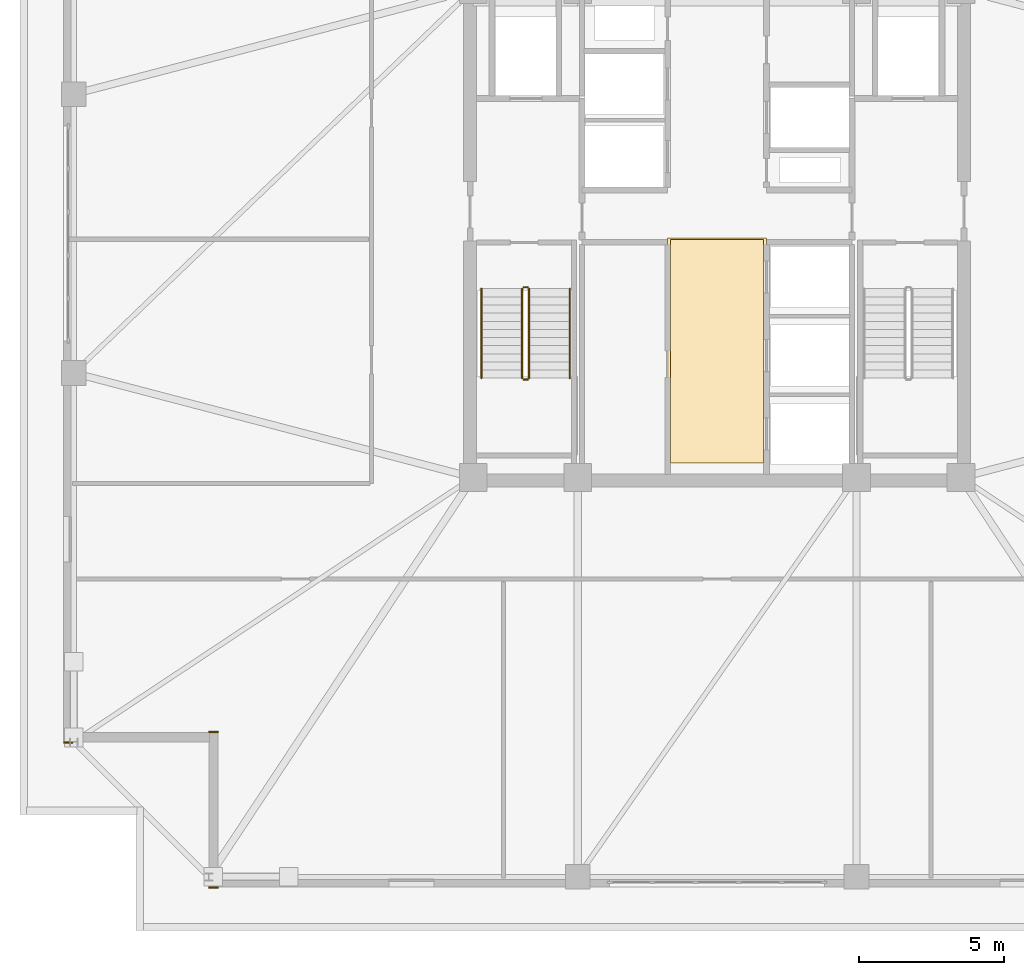
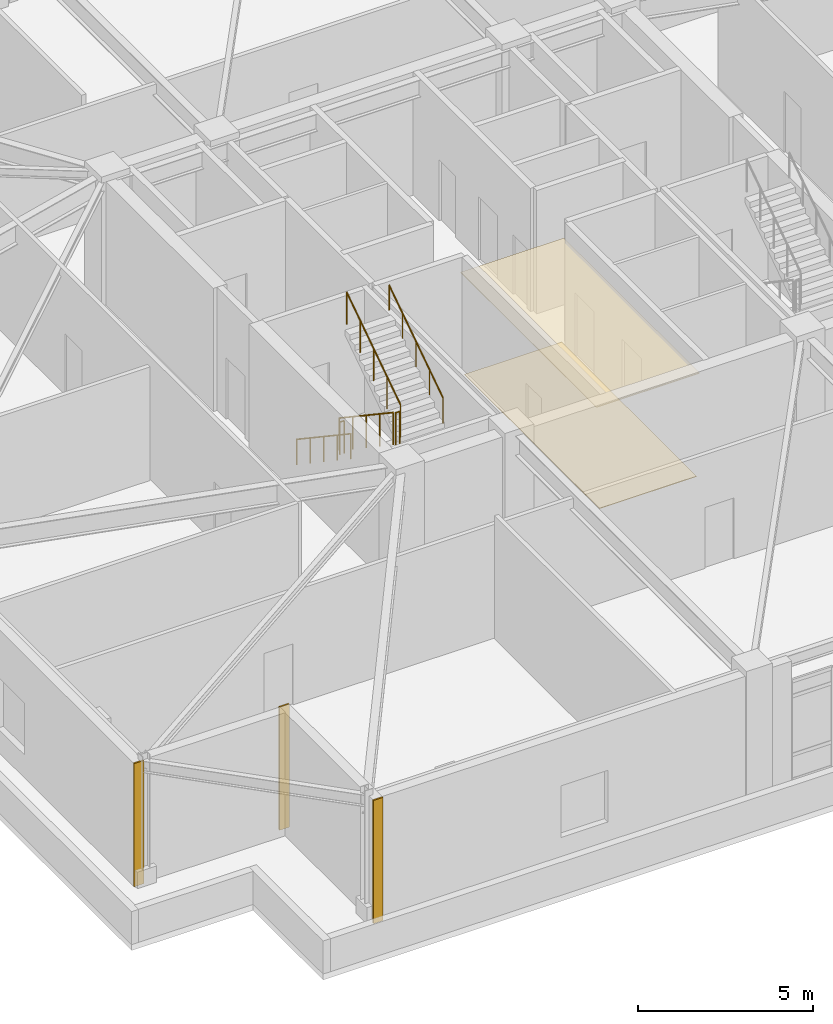
# One storey, part 14 of 18: 6 railings, 5 coverings.
"""IFC4 building model written with IfcOpenShell, lengths in metres."""

from ifc_helpers import new_model, si_unit, direction, frame, frame_2d, origin, origin_2d, place, context, subcontext, project, spatial, polyline, rectangle, circle, outline, extrude, material, layer, layer_set, type_object, element, save


model = new_model("IFC4")

# Units and contexts
model_context = context("Model", 3, precision=1e-05, world=origin(), true_north=direction((0.0, 1.0)))
body_context = subcontext(model_context, "Body", "Model", "MODEL_VIEW")
ifc_project = project(units=[si_unit("LENGTHUNIT", "METRE"), si_unit("AREAUNIT", "SQUARE_METRE"), si_unit("VOLUMEUNIT", "CUBIC_METRE"), si_unit("PLANEANGLEUNIT", "RADIAN"), si_unit("MASSUNIT", "GRAM", prefix="KILO")], contexts=[model_context])

# Site, building, storey
site_placement = place(None, origin())
site = spatial("IfcSite", under=ifc_project, at=site_placement, CompositionType="ELEMENT")
building_placement = place(site_placement, origin())
building = spatial("IfcBuilding", under=site, at=building_placement, Name="Cairnveth Concourse Tower", CompositionType="ELEMENT")
storey_placement = place(building_placement, frame((0.0, 0.0, 198.0)))
storey = spatial("IfcBuildingStorey", under=building, at=storey_placement, Name="L54", CompositionType="ELEMENT", Elevation=198.0)

# Coverings
ifc_material_1 = material(Name="Acoustic Mineral Fibre Ceiling", Category="gypsum")
ifc_layer_1 = layer(ifc_material_1, 0.02490234375)
ifc_layer_set_1 = layer_set([ifc_layer_1], Name="Acoustic Mineral Fibre Ceiling")
covering_type_1 = type_object("IfcCoveringType", Name="ACOUSTIC MINERAL FIBRE CEILING 25", PredefinedType="CEILING", material=ifc_layer_set_1)
covering_1_placement = place(storey_placement, frame((0.0, 0.0, 3.55810546875)))
element("IfcCovering", 1, at=covering_1_placement, inside=storey, type_object=covering_type_1, Name="Lift Lobby Acoustic Ceiling L54", PredefinedType="CEILING", context=body_context, shape_type="SweptSolid", body=[
    extrude(outline(polyline([(50.300048828125, 31.10009765625), (53.699951171875, 31.10009765625), (53.699951171875, 38.85009765625), (50.300048828125, 38.85009765625), (50.300048828125, 31.10009765625)])), origin(), (0.0, 0.0, 1.0), 0.02490234375),
])
ifc_material_2 = material(Name="Dressed Melbourne Bluestone Cladding", Category="masonry")
ifc_layer_2 = layer(ifc_material_2, 0.050048828125)
ifc_layer_set_2 = layer_set([ifc_layer_2], Name="Dressed Melbourne Bluestone Cladding")
covering_type_2 = type_object("IfcCoveringType", Name="DRESSED BLUESTONE PLINTH CLADDING 50", PredefinedType="CLADDING", material=ifc_layer_set_2)
for number, where, z_axis, x_axis, name in (
    (2, (34.820068359375, 16.47998046875, 0.0), (0.0, 0.0, 1.0), (-1.0, 0.0, 0.0), "Melbourne Bluestone Corner Quoin L54-803"),
    (3, (34.820068359375, 21.840087890625, 0.0), (0.0, 0.0, 1.0), (-1.0, 0.0, 0.0), "Melbourne Bluestone Corner Quoin L54-804"),
    (4, (29.820068359375, 21.47998046875, 0.0), (0.0, 0.0, 1.0), (-1.0, 0.0, 0.0), "Melbourne Bluestone Corner Quoin L54-805"),
):
    element("IfcCovering", number, at=place(storey_placement, frame(where, z_axis=z_axis, x_axis=x_axis)), inside=storey, type_object=covering_type_2, Name=name, PredefinedType="CLADDING", context=body_context, shape_type="SweptSolid", body=[
        extrude(rectangle(XDim=0.320068359375, YDim=0.050048828125, at=frame_2d((0.16015625, 0.0))), origin(), (0.0, 0.0, 1.0), 4.2900390625),
    ])

# Railings
ifc_material_3 = material(Name="Steel Grade 350", Category="steel")
railing_type_1 = type_object("IfcRailingType", Name="STAIR GUARDRAIL 1150", PredefinedType="GUARDRAIL", material=ifc_material_3)
railing_1_placement = place(storey_placement, frame((45.2900390625, 37.10009765625, 0.1875)))
element("IfcRailing", 5, at=railing_1_placement, inside=storey, type_object=railing_type_1, Name="L54 ST-1 stair guard 1", PredefinedType="GUARDRAIL", context=body_context, shape_type="SweptSolid", body=[
    extrude(circle(Radius=0.02392578125, at=origin_2d()), frame((0.0, 0.0, 1.1259765625), z_axis=(0.0, -0.830913701846, 0.55640131208), x_axis=(1.0, 0.0, 0.0)), (0.0, 0.0, 1.0), 3.706787109375),
    extrude(circle(Radius=0.02099609375, at=origin_2d()), origin(), (0.0, 0.0, 1.0), 1.101806640625),
    extrude(circle(Radius=0.02099609375, at=origin_2d()), frame((0.0, -0.77001953125, 0.515625)), (0.0, 0.0, 1.0), 1.101806640625),
    extrude(circle(Radius=0.02099609375, at=origin_2d()), frame((0.0, -1.5400390625, 1.03125)), (0.0, 0.0, 1.0), 1.101806640625),
    extrude(circle(Radius=0.02099609375, at=origin_2d()), frame((0.0, -2.31005859375, 1.546875)), (0.0, 0.0, 1.0), 1.101806640625),
    extrude(circle(Radius=0.02099609375, at=origin_2d()), frame((0.0, -3.080078125, 2.0625)), (0.0, 0.0, 1.0), 1.101806640625),
])
railing_2_placement = place(storey_placement, frame((45.340087890625, 33.969970703125, 2.25)))
element("IfcRailing", 6, at=railing_2_placement, inside=storey, type_object=railing_type_1, Name="L54 ST-1 stair guard 2", PredefinedType="GUARDRAIL", context=body_context, shape_type="SweptSolid", body=[
    extrude(circle(Radius=0.02392578125, at=origin_2d()), frame((0.0, 0.0, 1.1259765625), z_axis=(1.0, 0.0, 0.0), x_axis=(0.0, 1.0, 0.0)), (0.0, 0.0, 1.0), 0.139892578125),
    extrude(circle(Radius=0.02099609375, at=origin_2d()), origin(), (0.0, 0.0, 1.0), 1.101806640625),
    extrude(circle(Radius=0.02099609375, at=origin_2d()), frame((0.139892578125, 0.0, 0.0)), (0.0, 0.0, 1.0), 1.101806640625),
])
railing_3_placement = place(storey_placement, frame((45.530029296875, 34.02001953125, 2.4375)))
element("IfcRailing", 7, at=railing_3_placement, inside=storey, type_object=railing_type_1, Name="L54 ST-1 stair guard 3", PredefinedType="GUARDRAIL", context=body_context, shape_type="SweptSolid", body=[
    extrude(circle(Radius=0.02392578125, at=origin_2d()), frame((0.0, 0.0, 1.1259765625), z_axis=(0.0, 0.830913701846, 0.55640131208), x_axis=(-1.0, 0.0, 0.0)), (0.0, 0.0, 1.0), 3.706787109375),
    extrude(circle(Radius=0.02099609375, at=origin_2d()), origin(), (0.0, 0.0, 1.0), 1.101806640625),
    extrude(circle(Radius=0.02099609375, at=origin_2d()), frame((0.0, 0.77001953125, 0.515625)), (0.0, 0.0, 1.0), 1.101806640625),
    extrude(circle(Radius=0.02099609375, at=origin_2d()), frame((0.0, 1.5400390625, 1.03125)), (0.0, 0.0, 1.0), 1.101806640625),
    extrude(circle(Radius=0.02099609375, at=origin_2d()), frame((0.0, 2.31005859375, 1.546875)), (0.0, 0.0, 1.0), 1.101806640625),
    extrude(circle(Radius=0.02099609375, at=origin_2d()), frame((0.0, 3.080078125, 2.0625)), (0.0, 0.0, 1.0), 1.101806640625),
])
railing_4_placement = place(storey_placement, frame((45.340087890625, 37.14990234375, 0.0)))
element("IfcRailing", 8, at=railing_4_placement, inside=storey, type_object=railing_type_1, Name="L54 ST-1 stair guard 4", PredefinedType="GUARDRAIL", context=body_context, shape_type="SweptSolid", body=[
    extrude(circle(Radius=0.02392578125, at=origin_2d()), frame((0.0, 0.0, 1.1259765625), z_axis=(1.0, 0.0, 0.0), x_axis=(0.0, 1.0, 0.0)), (0.0, 0.0, 1.0), 0.139892578125),
    extrude(circle(Radius=0.02099609375, at=origin_2d()), origin(), (0.0, 0.0, 1.0), 1.101806640625),
    extrude(circle(Radius=0.02099609375, at=origin_2d()), frame((0.139892578125, 0.0, 0.0)), (0.0, 0.0, 1.0), 1.101806640625),
])
railing_type_2 = type_object("IfcRailingType", Name="STAIR WALL HANDRAIL 900", PredefinedType="HANDRAIL", material=ifc_material_3)
railing_5_placement = place(storey_placement, frame((43.889892578125, 37.10009765625, 0.1875)))
element("IfcRailing", 9, at=railing_5_placement, inside=storey, type_object=railing_type_2, Name="L54 ST-1 stair handrail 1", PredefinedType="HANDRAIL", context=body_context, shape_type="SweptSolid", body=[
    extrude(circle(Radius=0.02392578125, at=origin_2d()), frame((0.0, 0.0, 0.8759765625), z_axis=(0.0, -0.830913701846, 0.55640131208), x_axis=(1.0, 0.0, 0.0)), (0.0, 0.0, 1.0), 3.706787109375),
    extrude(circle(Radius=0.02099609375, at=origin_2d()), origin(), (0.0, 0.0, 1.0), 0.851806640625),
    extrude(circle(Radius=0.02099609375, at=origin_2d()), frame((0.0, -0.77001953125, 0.515625)), (0.0, 0.0, 1.0), 0.851806640625),
    extrude(circle(Radius=0.02099609375, at=origin_2d()), frame((0.0, -1.5400390625, 1.03125)), (0.0, 0.0, 1.0), 0.851806640625),
    extrude(circle(Radius=0.02099609375, at=origin_2d()), frame((0.0, -2.31005859375, 1.546875)), (0.0, 0.0, 1.0), 0.851806640625),
    extrude(circle(Radius=0.02099609375, at=origin_2d()), frame((0.0, -3.080078125, 2.0625)), (0.0, 0.0, 1.0), 0.851806640625),
])
railing_6_placement = place(storey_placement, frame((46.929931640625, 34.02001953125, 2.4375)))
element("IfcRailing", 10, at=railing_6_placement, inside=storey, type_object=railing_type_2, Name="L54 ST-1 stair handrail 2", PredefinedType="HANDRAIL", context=body_context, shape_type="SweptSolid", body=[
    extrude(circle(Radius=0.02392578125, at=origin_2d()), frame((0.0, 0.0, 0.8759765625), z_axis=(0.0, 0.830913701846, 0.55640131208), x_axis=(-1.0, 0.0, 0.0)), (0.0, 0.0, 1.0), 3.706787109375),
    extrude(circle(Radius=0.02099609375, at=origin_2d()), origin(), (0.0, 0.0, 1.0), 0.851806640625),
    extrude(circle(Radius=0.02099609375, at=origin_2d()), frame((0.0, 0.77001953125, 0.515625)), (0.0, 0.0, 1.0), 0.851806640625),
    extrude(circle(Radius=0.02099609375, at=origin_2d()), frame((0.0, 1.5400390625, 1.03125)), (0.0, 0.0, 1.0), 0.851806640625),
    extrude(circle(Radius=0.02099609375, at=origin_2d()), frame((0.0, 2.31005859375, 1.546875)), (0.0, 0.0, 1.0), 0.851806640625),
    extrude(circle(Radius=0.02099609375, at=origin_2d()), frame((0.0, 3.080078125, 2.0625)), (0.0, 0.0, 1.0), 0.851806640625),
])

# Covering
ifc_material_4 = material(Name="Vitrified Stoneware Tile Flooring", Category="masonry")
ifc_layer_3 = layer(ifc_material_4, 0.02001953125)
ifc_layer_set_3 = layer_set([ifc_layer_3], Name="Vitrified Stoneware Tile Flooring")
covering_type_3 = type_object("IfcCoveringType", Name="VITRIFIED STONEWARE LOBBY FLOORING 20", PredefinedType="FLOORING", material=ifc_layer_set_3)
covering_2_placement = place(storey_placement, origin())
element("IfcCovering", 11, at=covering_2_placement, inside=storey, type_object=covering_type_3, Name="Lift Lobby Stoneware Flooring L54", PredefinedType="FLOORING", context=body_context, shape_type="SweptSolid", body=[
    extrude(outline(polyline([(50.39990234375, 31.10009765625), (53.60009765625, 31.10009765625), (53.60009765625, 38.800048828125), (50.39990234375, 38.800048828125), (50.39990234375, 31.10009765625)])), origin(), (0.0, 0.0, 1.0), 0.02001953125),
])

save(model, "model.ifc")
